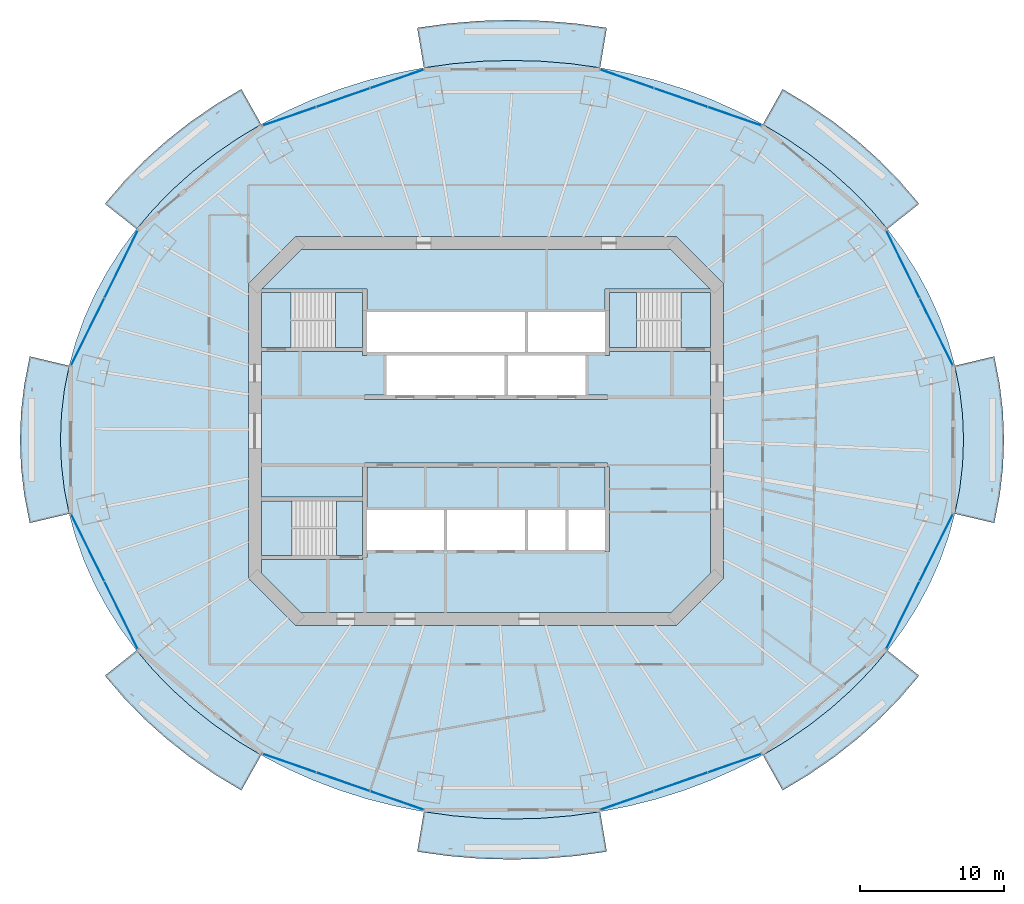
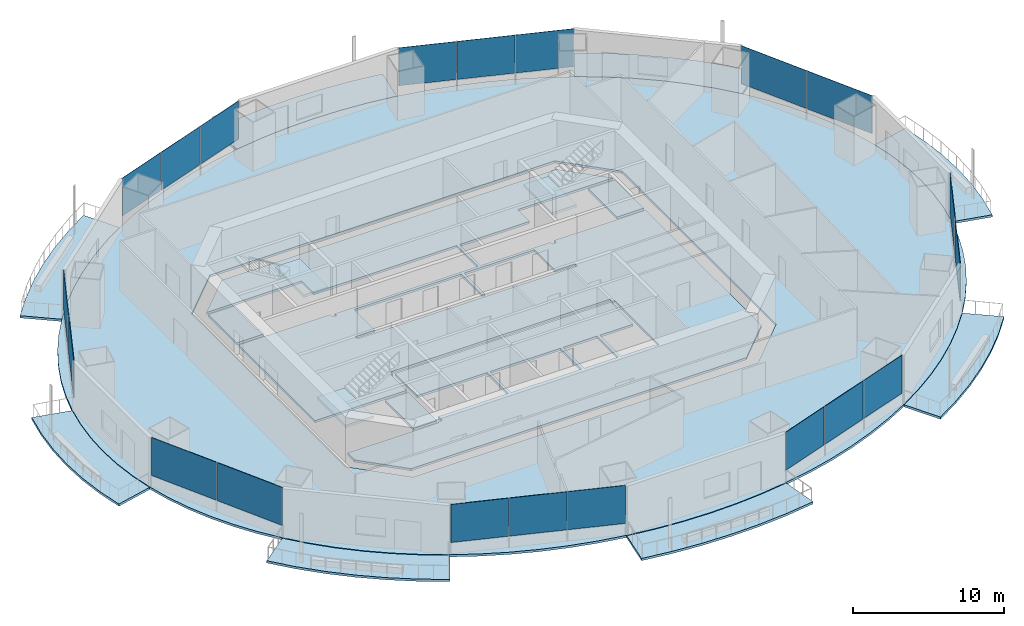
# One storey, part 10 of 20: 20 plates, 16 slabs, 11 elements without a shape of their own.
"""IFC4 building model written with IfcOpenShell, lengths in metres."""

from ifc_helpers import new_model, si_unit, direction, frame, origin, origin_2d, place, context, subcontext, project, spatial, polyline, rectangle, outline, extrude, material, layer, layer_set, type_object, element, aggregate, save


model = new_model("IFC4")

# Units and contexts
model_context = context("Model", 3, precision=1e-05, world=origin(), true_north=direction((0.0, 1.0)))
body_context = subcontext(model_context, "Body", "Model", "MODEL_VIEW")
ifc_project = project(units=[si_unit("LENGTHUNIT", "METRE"), si_unit("AREAUNIT", "SQUARE_METRE"), si_unit("VOLUMEUNIT", "CUBIC_METRE"), si_unit("PLANEANGLEUNIT", "RADIAN"), si_unit("MASSUNIT", "GRAM", prefix="KILO")], contexts=[model_context])

# Site, building, storey
site_placement = place(None, origin())
site = spatial("IfcSite", under=ifc_project, at=site_placement, CompositionType="ELEMENT")
building_placement = place(site_placement, origin())
building = spatial("IfcBuilding", under=site, at=building_placement, Name="Marenthal Gate Tower", CompositionType="ELEMENT")
storey_placement = place(building_placement, frame((0.0, 0.0, 219.14990234375)))
storey = spatial("IfcBuildingStorey", under=building, at=storey_placement, Name="L48", CompositionType="ELEMENT", Elevation=219.14990234375)

# Slabs
ifc_material_1 = material(Name="Concrete 40 MPa", Category="concrete")
ifc_layer_1 = layer(ifc_material_1, 0.179931640625)
ifc_layer_set_1 = layer_set([ifc_layer_1], Name="Balcony deck 180")
slab_type_1 = type_object("IfcSlabType", Name="Balcony deck 180", PredefinedType="USERDEFINED", material=ifc_layer_set_1)
slab_1_placement = place(storey_placement, frame((0.0, 0.0, -0.219970703125)))
element("IfcSlab", 1, at=slab_1_placement, inside=storey, type_object=slab_type_1, Name="Balcony deck L48 bay 2", ObjectType="BALCONY", PredefinedType="USERDEFINED", context=body_context, shape_type="SweptSolid", body=[
    extrude(outline(polyline([(27.783447265625, 13.983642578125), (26.59228515625, 15.3798828125), (25.294921875, 16.707763671875), (23.897216796875, 17.961669921875), (22.404541015625, 19.1357421875), (20.82373046875, 20.2255859375), (19.16162109375, 21.22607421875), (20.531982421875, 23.667724609375), (22.3408203125, 22.5791015625), (24.065185546875, 21.39013671875), (25.697998046875, 20.10546875), (27.23193359375, 18.72998046875), (28.65966796875, 17.2685546875), (29.974609375, 15.726806640625), (27.783447265625, 13.983642578125)])), origin(), (0.0, 0.0, 1.0), 0.18017578125),
])
slab_2_placement = place(storey_placement, frame((0.0, 0.0, -0.219970703125)))
element("IfcSlab", 2, at=slab_2_placement, inside=storey, type_object=slab_type_1, Name="Balcony deck L48 bay 4", ObjectType="BALCONY", PredefinedType="USERDEFINED", context=body_context, shape_type="SweptSolid", body=[
    extrude(outline(polyline([(7.896484375, 25.1455078125), (5.87890625, 25.42529296875), (3.84375, 25.59375), (1.800048828125, 25.64990234375), (-0.243896484375, 25.59375), (-2.27880859375, 25.42529296875), (-4.296630859375, 25.1455078125), (-4.758056640625, 27.9072265625), (-2.586669921875, 28.20849609375), (-0.397705078125, 28.3896484375), (1.800048828125, 28.449951171875), (3.997802734375, 28.3896484375), (6.186767578125, 28.20849609375), (8.358154296875, 27.9072265625), (7.896484375, 25.1455078125)])), origin(), (0.0, 0.0, 1.0), 0.18017578125),
])
slab_3_placement = place(storey_placement, frame((0.0, 0.0, -0.219970703125)))
element("IfcSlab", 3, at=slab_3_placement, inside=storey, type_object=slab_type_1, Name="Balcony deck L48 bay 6", ObjectType="BALCONY", PredefinedType="USERDEFINED", context=body_context, shape_type="SweptSolid", body=[
    extrude(outline(polyline([(-15.5615234375, 21.22607421875), (-17.223876953125, 20.2255859375), (-18.8046875, 19.1357421875), (-20.297119140625, 17.961669921875), (-21.695068359375, 16.707763671875), (-22.9921875, 15.3798828125), (-24.183349609375, 13.983642578125), (-26.374755859375, 15.726806640625), (-25.0595703125, 17.2685546875), (-23.6318359375, 18.72998046875), (-22.09814453125, 20.10546875), (-20.46533203125, 21.39013671875), (-18.74072265625, 22.5791015625), (-16.93212890625, 23.667724609375), (-15.5615234375, 21.22607421875)])), origin(), (0.0, 0.0, 1.0), 0.18017578125),
])
slab_4_placement = place(storey_placement, frame((0.0, 0.0, -0.219970703125)))
element("IfcSlab", 4, at=slab_4_placement, inside=storey, type_object=slab_type_1, Name="Balcony deck L48 bay 8", ObjectType="BALCONY", PredefinedType="USERDEFINED", context=body_context, shape_type="SweptSolid", body=[
    extrude(outline(polyline([(-28.849609375, 4.52099609375), (-29.1826171875, 2.826416015625), (-29.383056640625, 1.11669921875), (-29.449951171875, -0.60009765625), (-29.383056640625, -2.31689453125), (-29.1826171875, -4.0263671875), (-28.849609375, -5.72119140625), (-31.57421875, -6.3662109375), (-31.948974609375, -4.4599609375), (-32.174560546875, -2.53466796875), (-32.25, -0.60009765625), (-32.174560546875, 1.334716796875), (-31.948974609375, 3.259765625), (-31.57421875, 5.166259765625), (-28.849609375, 4.52099609375)])), origin(), (0.0, 0.0, 1.0), 0.18017578125),
])
slab_5_placement = place(storey_placement, frame((0.0, 0.0, -0.219970703125)))
element("IfcSlab", 5, at=slab_5_placement, inside=storey, type_object=slab_type_1, Name="Balcony deck L48 bay 10", ObjectType="BALCONY", PredefinedType="USERDEFINED", context=body_context, shape_type="SweptSolid", body=[
    extrude(outline(polyline([(-24.183349609375, -15.18359375), (-22.9921875, -16.580078125), (-21.695068359375, -17.90771484375), (-20.297119140625, -19.16162109375), (-18.8046875, -20.335693359375), (-17.223876953125, -21.425537109375), (-15.5615234375, -22.426025390625), (-16.93212890625, -24.86767578125), (-18.74072265625, -23.779052734375), (-20.46533203125, -22.590087890625), (-22.09814453125, -21.3056640625), (-23.6318359375, -19.929931640625), (-25.0595703125, -18.468505859375), (-26.374755859375, -16.9267578125), (-24.183349609375, -15.18359375)])), origin(), (0.0, 0.0, 1.0), 0.18017578125),
])
slab_6_placement = place(storey_placement, frame((0.0, 0.0, -0.219970703125)))
element("IfcSlab", 6, at=slab_6_placement, inside=storey, type_object=slab_type_1, Name="Balcony deck L48 bay 12", ObjectType="BALCONY", PredefinedType="USERDEFINED", context=body_context, shape_type="SweptSolid", body=[
    extrude(outline(polyline([(-4.296630859375, -26.345703125), (-2.27880859375, -26.62548828125), (-0.243896484375, -26.793701171875), (1.800048828125, -26.85009765625), (3.84375, -26.793701171875), (5.87890625, -26.62548828125), (7.896484375, -26.345703125), (8.358154296875, -29.107421875), (6.186767578125, -29.408447265625), (3.997802734375, -29.589599609375), (1.800048828125, -29.64990234375), (-0.397705078125, -29.589599609375), (-2.586669921875, -29.408447265625), (-4.758056640625, -29.107421875), (-4.296630859375, -26.345703125)])), origin(), (0.0, 0.0, 1.0), 0.18017578125),
])
slab_7_placement = place(storey_placement, frame((0.0, 0.0, -0.219970703125)))
element("IfcSlab", 7, at=slab_7_placement, inside=storey, type_object=slab_type_1, Name="Balcony deck L48 bay 14", ObjectType="BALCONY", PredefinedType="USERDEFINED", context=body_context, shape_type="SweptSolid", body=[
    extrude(outline(polyline([(19.16162109375, -22.426025390625), (20.82373046875, -21.425537109375), (22.404541015625, -20.335693359375), (23.897216796875, -19.16162109375), (25.294921875, -17.90771484375), (26.59228515625, -16.580078125), (27.783447265625, -15.18359375), (29.974609375, -16.9267578125), (28.65966796875, -18.468505859375), (27.23193359375, -19.929931640625), (25.697998046875, -21.3056640625), (24.065185546875, -22.590087890625), (22.3408203125, -23.779052734375), (20.531982421875, -24.86767578125), (19.16162109375, -22.426025390625)])), origin(), (0.0, 0.0, 1.0), 0.18017578125),
])
slab_8_placement = place(storey_placement, frame((0.0, 0.0, -0.219970703125)))
element("IfcSlab", 8, at=slab_8_placement, inside=storey, type_object=slab_type_1, Name="Balcony deck L48 bay 16", ObjectType="BALCONY", PredefinedType="USERDEFINED", context=body_context, shape_type="SweptSolid", body=[
    extrude(outline(polyline([(32.449462890625, -5.72119140625), (32.78271484375, -4.0263671875), (32.983154296875, -2.31689453125), (33.050048828125, -0.60009765625), (32.983154296875, 1.11669921875), (32.78271484375, 2.826416015625), (32.449462890625, 4.52099609375), (35.174072265625, 5.166259765625), (35.548828125, 3.259765625), (35.774658203125, 1.334716796875), (35.85009765625, -0.60009765625), (35.774658203125, -2.53466796875), (35.548828125, -4.4599609375), (35.174072265625, -6.3662109375), (32.449462890625, -5.72119140625)])), origin(), (0.0, 0.0, 1.0), 0.18017578125),
])
ifc_material_2 = material(Name="Concrete 50 MPa", Category="concrete")
ifc_layer_2 = layer(ifc_material_2, 0.179931640625)
ifc_layer_set_2 = layer_set([ifc_layer_2], Name="Core floor slab 180")
slab_type_2 = type_object("IfcSlabType", Name="Core floor slab 180", PredefinedType="FLOOR", material=ifc_layer_set_2)
slab_9_placement = place(storey_placement, frame((0.0, 0.0, -0.179931640625)))
element("IfcSlab", 9, at=slab_9_placement, inside=storey, type_object=slab_type_2, Name="Core floor L48", PredefinedType="FLOOR", context=body_context, shape_type="SweptSolid", body=[
    extrude(outline(polyline([(12.813720703125, -12.550048828125), (-12.813720703125, -12.550048828125), (-15.550048828125, -9.813720703125), (-15.550048828125, -8.875), (-8.550048828125, -8.875), (-8.550048828125, -8.75), (-8.25, -8.75), (-8.25, -8.239990234375), (-5.60009765625, -8.239990234375), (-2.909912109375, -8.239990234375), (-2.909912109375, -5.4599609375), (-5.60009765625, -5.4599609375), (-8.25, -5.4599609375), (-8.25, -2.5), (8.25, -2.5), (8.25, -5.4599609375), (5.7099609375, -5.4599609375), (5.7099609375, -8.239990234375), (8.25, -8.239990234375), (8.25, -8.35009765625), (8.550048828125, -8.35009765625), (8.550048828125, -2.5), (8.39990234375, -2.5), (8.39990234375, -2.199951171875), (-8.39990234375, -2.199951171875), (-8.39990234375, -2.5), (-8.550048828125, -2.5), (-8.550048828125, -4.574951171875), (-15.550048828125, -4.574951171875), (-15.550048828125, 5.52490234375), (-8.550048828125, 5.52490234375), (-8.550048828125, 5.239990234375), (-8.25, 5.239990234375), (-8.25, 5.4599609375), (-5.60009765625, 5.4599609375), (-2.800048828125, 5.4599609375), (0.0, 5.4599609375), (2.68994140625, 5.4599609375), (2.68994140625, 8.239990234375), (0.0, 8.239990234375), (-2.800048828125, 8.239990234375), (-5.60009765625, 8.239990234375), (-8.25, 8.239990234375), (-8.25, 8.35009765625), (-8.25, 9.824951171875), (-8.550048828125, 9.824951171875), (-15.53857421875, 9.824951171875), (-12.813720703125, 12.550048828125), (12.813720703125, 12.550048828125), (15.53857421875, 9.824951171875), (8.550048828125, 9.824951171875), (8.25, 9.824951171875), (8.25, 8.35009765625), (8.25, 8.239990234375), (5.60009765625, 8.239990234375), (2.909912109375, 8.239990234375), (2.909912109375, 5.4599609375), (5.60009765625, 5.4599609375), (8.25, 5.4599609375), (8.25, 5.239990234375), (8.550048828125, 5.239990234375), (8.550048828125, 5.52490234375), (15.550048828125, 5.52490234375), (15.550048828125, -9.813720703125), (12.813720703125, -12.550048828125)]), holes=[polyline([(2.68994140625, -8.239990234375), (2.68994140625, -5.4599609375), (0.0, -5.4599609375), (-2.68994140625, -5.4599609375), (-2.68994140625, -8.239990234375), (0.0, -8.239990234375), (2.68994140625, -8.239990234375)]), polyline([(-6.889892578125, 5.239990234375), (-6.889892578125, 2.5), (-8.39990234375, 2.5), (-8.39990234375, 2.199951171875), (8.39990234375, 2.199951171875), (8.39990234375, 2.5), (6.889892578125, 2.5), (6.889892578125, 5.239990234375), (4.199951171875, 5.239990234375), (1.510009765625, 5.239990234375), (1.510009765625, 2.5), (1.2900390625, 2.5), (1.2900390625, 5.239990234375), (-1.39990234375, 5.239990234375), (-4.199951171875, 5.239990234375), (-6.889892578125, 5.239990234375)]), polyline([(5.489990234375, -8.239990234375), (5.489990234375, -5.4599609375), (2.909912109375, -5.4599609375), (2.909912109375, -8.239990234375), (5.489990234375, -8.239990234375)])]), origin(), (0.0, 0.0, 1.0), 0.179931640625),
])
slab_10_placement = place(storey_placement, frame((0.0, 0.0, -0.179931640625)))
element("IfcSlab", 10, at=slab_10_placement, inside=storey, type_object=slab_type_2, Name="Core floor L48", PredefinedType="FLOOR", context=body_context, shape_type="SweptSolid", body=[
    extrude(outline(polyline([(15.550048828125, 5.77490234375), (13.5, 5.77490234375), (13.5, 9.574951171875), (15.550048828125, 9.574951171875), (15.550048828125, 5.77490234375)])), origin(), (0.0, 0.0, 1.0), 0.179931640625),
])
slab_11_placement = place(storey_placement, frame((0.0, 0.0, -0.179931640625)))
element("IfcSlab", 11, at=slab_11_placement, inside=storey, type_object=slab_type_2, Name="Core floor L48", PredefinedType="FLOOR", context=body_context, shape_type="SweptSolid", body=[
    extrude(outline(polyline([(-15.550048828125, 9.574951171875), (-13.5, 9.574951171875), (-13.5, 5.77490234375), (-15.550048828125, 5.77490234375), (-15.550048828125, 9.574951171875)])), origin(), (0.0, 0.0, 1.0), 0.179931640625),
])
slab_12_placement = place(storey_placement, frame((0.0, 0.0, -0.179931640625)))
element("IfcSlab", 12, at=slab_12_placement, inside=storey, type_object=slab_type_2, Name="Core floor L48", PredefinedType="FLOOR", context=body_context, shape_type="SweptSolid", body=[
    extrude(outline(polyline([(-8.550048828125, -8.625), (-10.35009765625, -8.625), (-10.35009765625, -4.824951171875), (-8.550048828125, -4.824951171875), (-8.550048828125, -8.625)])), origin(), (0.0, 0.0, 1.0), 0.179931640625),
])
ifc_material_3 = material(Name="Concrete 35 MPa", Category="concrete")
ifc_layer_3 = layer(ifc_material_3, 0.179931640625)
ifc_layer_set_3 = layer_set([ifc_layer_3], Name="Floor slab 180")
slab_type_3 = type_object("IfcSlabType", Name="Floor slab 180", PredefinedType="FLOOR", material=ifc_layer_set_3)
slab_13_placement = place(storey_placement, frame((0.0, 0.0, -0.179931640625)))
element("IfcSlab", 13, at=slab_13_placement, inside=storey, type_object=slab_type_3, Name="SL-L48-01", PredefinedType="FLOOR", context=body_context, shape_type="SweptSolid", body=[
    extrude(outline(polyline([(33.050048828125, -0.60009765625), (32.983154296875, 1.11669921875), (32.78271484375, 2.826416015625), (32.449462890625, 4.52099609375), (31.985107421875, 6.194091796875), (31.3916015625, 7.837890625), (30.671142578125, 9.4453125), (29.827392578125, 11.010009765625), (28.86328125, 12.52490234375), (27.783447265625, 13.983642578125), (26.59228515625, 15.3798828125), (25.294921875, 16.707763671875), (23.897216796875, 17.961669921875), (22.404541015625, 19.1357421875), (20.82373046875, 20.2255859375), (19.16162109375, 21.22607421875), (17.425048828125, 22.13330078125), (15.62158203125, 22.94287109375), (13.7587890625, 23.65185546875), (11.844970703125, 24.2568359375), (9.88818359375, 24.755615234375), (7.896484375, 25.1455078125), (5.87890625, 25.42529296875), (3.84375, 25.59375), (1.800048828125, 25.64990234375), (-0.243896484375, 25.59375), (-2.27880859375, 25.42529296875), (-4.296630859375, 25.1455078125), (-6.2880859375, 24.755615234375), (-8.2451171875, 24.2568359375), (-10.158935546875, 23.65185546875), (-12.021484375, 22.94287109375), (-13.824951171875, 22.13330078125), (-15.5615234375, 21.22607421875), (-17.223876953125, 20.2255859375), (-18.8046875, 19.1357421875), (-20.297119140625, 17.961669921875), (-21.695068359375, 16.707763671875), (-22.9921875, 15.3798828125), (-24.183349609375, 13.983642578125), (-25.26318359375, 12.52490234375), (-26.227294921875, 11.010009765625), (-27.0712890625, 9.4453125), (-27.79150390625, 7.837890625), (-28.38525390625, 6.194091796875), (-28.849609375, 4.52099609375), (-29.1826171875, 2.826416015625), (-29.383056640625, 1.11669921875), (-29.449951171875, -0.60009765625), (-29.383056640625, -2.31689453125), (-29.1826171875, -4.0263671875), (-28.849609375, -5.72119140625), (-28.38525390625, -7.39404296875), (-27.79150390625, -9.037841796875), (-27.0712890625, -10.6455078125), (-26.227294921875, -12.210205078125), (-25.26318359375, -13.72509765625), (-24.183349609375, -15.18359375), (-22.9921875, -16.580078125), (-21.695068359375, -17.90771484375), (-20.297119140625, -19.16162109375), (-18.8046875, -20.335693359375), (-17.223876953125, -21.425537109375), (-15.5615234375, -22.426025390625), (-13.824951171875, -23.333251953125), (-12.021484375, -24.142822265625), (-10.158935546875, -24.851806640625), (-8.2451171875, -25.456787109375), (-6.2880859375, -25.95556640625), (-4.296630859375, -26.345703125), (-2.27880859375, -26.62548828125), (-0.243896484375, -26.793701171875), (1.800048828125, -26.85009765625), (3.84375, -26.793701171875), (5.87890625, -26.62548828125), (7.896484375, -26.345703125), (9.88818359375, -25.95556640625), (11.844970703125, -25.456787109375), (13.7587890625, -24.851806640625), (15.62158203125, -24.142822265625), (17.425048828125, -23.333251953125), (19.16162109375, -22.426025390625), (20.82373046875, -21.425537109375), (22.404541015625, -20.335693359375), (23.897216796875, -19.16162109375), (25.294921875, -17.90771484375), (26.59228515625, -16.580078125), (27.783447265625, -15.18359375), (28.86328125, -13.72509765625), (29.827392578125, -12.210205078125), (30.671142578125, -10.6455078125), (31.3916015625, -9.037841796875), (31.985107421875, -7.39404296875), (32.449462890625, -5.72119140625), (32.78271484375, -4.0263671875), (32.983154296875, -2.31689453125), (33.050048828125, -0.60009765625)]), holes=[polyline([(13.186279296875, -13.449951171875), (16.449951171875, -10.186279296875), (16.449951171875, 10.186279296875), (13.186279296875, 13.449951171875), (-13.186279296875, 13.449951171875), (-16.449951171875, 10.186279296875), (-16.449951171875, -10.186279296875), (-13.186279296875, -13.449951171875), (13.186279296875, -13.449951171875)])]), origin(), (0.0, 0.0, 1.0), 0.179931640625),
])

# Curtain wall, plates
ifc_material_4 = material(Name="Aluminium and glass", Category="aluminium")
curtain_wall_type = type_object("IfcCurtainWallType", Name="Curtain wall typical mid", PredefinedType="NOTDEFINED", material=ifc_material_4)
curtain_wall_1_placement = place(storey_placement, origin())
curtain_wall_1 = element("IfcCurtainWall", 14, at=curtain_wall_1_placement, inside=storey, type_object=curtain_wall_type, Name="Curtain wall L48 bay 1", PredefinedType="NOTDEFINED")
ifc_material_5 = material(Name="Glass, laminated insulating unit", Category="glass")
ifc_layer_4 = layer(ifc_material_5, 0.030029296875)
ifc_layer_set_4 = layer_set([ifc_layer_4], Name="Glass panel 30 typical mid")
plate_type = type_object("IfcPlateType", Name="Glass panel 30 typical mid", PredefinedType="CURTAIN_PANEL", material=ifc_layer_set_4)
plate_1_placement = place(storey_placement, frame((31.1630859375, 6.865966796875, 0.89990234375), z_axis=(0.0, 0.0, 1.0), x_axis=(-0.442523466153, 0.896756924648, 0.0)))
plate_1 = element("IfcPlate", 15, at=plate_1_placement, type_object=plate_type, Name="Glass panel L48 bay 1.1", PredefinedType="CURTAIN_PANEL", context=body_context, shape_type="SweptSolid", body=[
    extrude(rectangle(XDim=5.161865234375, YDim=0.030029296875, at=origin_2d()), origin(), (0.0, 0.0, 1.0), 3.070068359375),
])
plate_2_placement = place(storey_placement, frame((28.852294921875, 11.548828125, 0.89990234375), z_axis=(0.0, 0.0, 1.0), x_axis=(-0.442523466153, 0.896756924648, 0.0)))
plate_2 = element("IfcPlate", 16, at=plate_2_placement, type_object=plate_type, Name="Glass panel L48 bay 1.2", PredefinedType="CURTAIN_PANEL", context=body_context, shape_type="SweptSolid", body=[
    extrude(rectangle(XDim=5.161865234375, YDim=0.030029296875, at=origin_2d()), origin(), (0.0, 0.0, 1.0), 3.070068359375),
])
aggregate(curtain_wall_1, [plate_1, plate_2])

curtain_wall_2_placement = place(storey_placement, origin())
curtain_wall_2 = element("IfcCurtainWall", 17, at=curtain_wall_2_placement, inside=storey, type_object=curtain_wall_type, Name="Curtain wall L48 bay 3", PredefinedType="NOTDEFINED")
plate_3_placement = place(storey_placement, frame((17.205810546875, 21.783203125, 0.89990234375), z_axis=(0.0, 0.0, 1.0), x_axis=(-0.944538576348, 0.328400483847, 0.0)))
plate_3 = element("IfcPlate", 18, at=plate_3_placement, type_object=plate_type, Name="Glass panel L48 bay 3.1", PredefinedType="CURTAIN_PANEL", context=body_context, shape_type="SweptSolid", body=[
    extrude(rectangle(XDim=3.880126953125, YDim=0.030029296875, at=origin_2d()), origin(), (0.0, 0.0, 1.0), 3.070068359375),
])
plate_4_placement = place(storey_placement, frame((13.484130859375, 23.0771484375, 0.89990234375), z_axis=(0.0, 0.0, 1.0), x_axis=(-0.944538576348, 0.328400483847, 0.0)))
plate_4 = element("IfcPlate", 19, at=plate_4_placement, type_object=plate_type, Name="Glass panel L48 bay 3.2", PredefinedType="CURTAIN_PANEL", context=body_context, shape_type="SweptSolid", body=[
    extrude(rectangle(XDim=3.880126953125, YDim=0.030029296875, at=origin_2d()), origin(), (0.0, 0.0, 1.0), 3.070068359375),
])
plate_5_placement = place(storey_placement, frame((9.762451171875, 24.37109375, 0.89990234375), z_axis=(0.0, 0.0, 1.0), x_axis=(-0.944538576348, 0.328400483847, 0.0)))
plate_5 = element("IfcPlate", 20, at=plate_5_placement, type_object=plate_type, Name="Glass panel L48 bay 3.3", PredefinedType="CURTAIN_PANEL", context=body_context, shape_type="SweptSolid", body=[
    extrude(rectangle(XDim=3.880126953125, YDim=0.030029296875, at=origin_2d()), origin(), (0.0, 0.0, 1.0), 3.070068359375),
])
aggregate(curtain_wall_2, [plate_3, plate_4, plate_5])

curtain_wall_3_placement = place(storey_placement, origin())
curtain_wall_3 = element("IfcCurtainWall", 21, at=curtain_wall_3_placement, inside=storey, type_object=curtain_wall_type, Name="Curtain wall L48 bay 5", PredefinedType="NOTDEFINED")
plate_6_placement = place(storey_placement, frame((-6.162353515625, 24.37109375, 0.89990234375), z_axis=(0.0, 0.0, 1.0), x_axis=(-0.944538576348, -0.328400483847, 0.0)))
plate_6 = element("IfcPlate", 22, at=plate_6_placement, type_object=plate_type, Name="Glass panel L48 bay 5.1", PredefinedType="CURTAIN_PANEL", context=body_context, shape_type="SweptSolid", body=[
    extrude(rectangle(XDim=3.880126953125, YDim=0.030029296875, at=origin_2d()), origin(), (0.0, 0.0, 1.0), 3.070068359375),
])
plate_7_placement = place(storey_placement, frame((-9.884033203125, 23.0771484375, 0.89990234375), z_axis=(0.0, 0.0, 1.0), x_axis=(-0.944538576348, -0.328400483847, 0.0)))
plate_7 = element("IfcPlate", 23, at=plate_7_placement, type_object=plate_type, Name="Glass panel L48 bay 5.2", PredefinedType="CURTAIN_PANEL", context=body_context, shape_type="SweptSolid", body=[
    extrude(rectangle(XDim=3.880126953125, YDim=0.030029296875, at=origin_2d()), origin(), (0.0, 0.0, 1.0), 3.070068359375),
])
plate_8_placement = place(storey_placement, frame((-13.605712890625, 21.783203125, 0.89990234375), z_axis=(0.0, 0.0, 1.0), x_axis=(-0.944538576348, -0.328400483847, 0.0)))
plate_8 = element("IfcPlate", 24, at=plate_8_placement, type_object=plate_type, Name="Glass panel L48 bay 5.3", PredefinedType="CURTAIN_PANEL", context=body_context, shape_type="SweptSolid", body=[
    extrude(rectangle(XDim=3.880126953125, YDim=0.030029296875, at=origin_2d()), origin(), (0.0, 0.0, 1.0), 3.070068359375),
])
aggregate(curtain_wall_3, [plate_6, plate_7, plate_8])

curtain_wall_4_placement = place(storey_placement, origin())
curtain_wall_4 = element("IfcCurtainWall", 25, at=curtain_wall_4_placement, inside=storey, type_object=curtain_wall_type, Name="Curtain wall L48 bay 7", PredefinedType="NOTDEFINED")
plate_9_placement = place(storey_placement, frame((-25.252197265625, 11.548828125, 0.89990234375), z_axis=(0.0, 0.0, 1.0), x_axis=(-0.442523466153, -0.896756924648, 0.0)))
plate_9 = element("IfcPlate", 26, at=plate_9_placement, type_object=plate_type, Name="Glass panel L48 bay 7.1", PredefinedType="CURTAIN_PANEL", context=body_context, shape_type="SweptSolid", body=[
    extrude(rectangle(XDim=5.161865234375, YDim=0.030029296875, at=origin_2d()), origin(), (0.0, 0.0, 1.0), 3.070068359375),
])
plate_10_placement = place(storey_placement, frame((-27.56298828125, 6.865966796875, 0.89990234375), z_axis=(0.0, 0.0, 1.0), x_axis=(-0.442523466153, -0.896756924648, 0.0)))
plate_10 = element("IfcPlate", 27, at=plate_10_placement, type_object=plate_type, Name="Glass panel L48 bay 7.2", PredefinedType="CURTAIN_PANEL", context=body_context, shape_type="SweptSolid", body=[
    extrude(rectangle(XDim=5.161865234375, YDim=0.030029296875, at=origin_2d()), origin(), (0.0, 0.0, 1.0), 3.070068359375),
])
aggregate(curtain_wall_4, [plate_9, plate_10])

curtain_wall_5_placement = place(storey_placement, origin())
curtain_wall_5 = element("IfcCurtainWall", 28, at=curtain_wall_5_placement, inside=storey, type_object=curtain_wall_type, Name="Curtain wall L48 bay 9", PredefinedType="NOTDEFINED")
plate_11_placement = place(storey_placement, frame((-27.563232421875, -8.06591796875, 0.89990234375), z_axis=(0.0, 0.0, 1.0), x_axis=(0.442523466153, -0.896756924648, 0.0)))
plate_11 = element("IfcPlate", 29, at=plate_11_placement, type_object=plate_type, Name="Glass panel L48 bay 9.1", PredefinedType="CURTAIN_PANEL", context=body_context, shape_type="SweptSolid", body=[
    extrude(rectangle(XDim=5.161865234375, YDim=0.030029296875, at=origin_2d()), origin(), (0.0, 0.0, 1.0), 3.070068359375),
])
plate_12_placement = place(storey_placement, frame((-25.252197265625, -12.748779296875, 0.89990234375), z_axis=(0.0, 0.0, 1.0), x_axis=(0.442523466153, -0.896756924648, 0.0)))
plate_12 = element("IfcPlate", 30, at=plate_12_placement, type_object=plate_type, Name="Glass panel L48 bay 9.2", PredefinedType="CURTAIN_PANEL", context=body_context, shape_type="SweptSolid", body=[
    extrude(rectangle(XDim=5.161865234375, YDim=0.030029296875, at=origin_2d()), origin(), (0.0, 0.0, 1.0), 3.070068359375),
])
aggregate(curtain_wall_5, [plate_11, plate_12])

curtain_wall_6_placement = place(storey_placement, origin())
curtain_wall_6 = element("IfcCurtainWall", 31, at=curtain_wall_6_placement, inside=storey, type_object=curtain_wall_type, Name="Curtain wall L48 bay 11", PredefinedType="NOTDEFINED")
plate_13_placement = place(storey_placement, frame((-13.605712890625, -22.983154296875, 0.89990234375), z_axis=(0.0, 0.0, 1.0), x_axis=(0.944538576348, -0.328400483847, 0.0)))
plate_13 = element("IfcPlate", 32, at=plate_13_placement, type_object=plate_type, Name="Glass panel L48 bay 11.1", PredefinedType="CURTAIN_PANEL", context=body_context, shape_type="SweptSolid", body=[
    extrude(rectangle(XDim=3.880126953125, YDim=0.030029296875, at=origin_2d()), origin(), (0.0, 0.0, 1.0), 3.070068359375),
])
plate_14_placement = place(storey_placement, frame((-9.884033203125, -24.277099609375, 0.89990234375), z_axis=(0.0, 0.0, 1.0), x_axis=(0.944538576348, -0.328400483847, 0.0)))
plate_14 = element("IfcPlate", 33, at=plate_14_placement, type_object=plate_type, Name="Glass panel L48 bay 11.2", PredefinedType="CURTAIN_PANEL", context=body_context, shape_type="SweptSolid", body=[
    extrude(rectangle(XDim=3.880126953125, YDim=0.030029296875, at=origin_2d()), origin(), (0.0, 0.0, 1.0), 3.070068359375),
])
plate_15_placement = place(storey_placement, frame((-6.162353515625, -25.571044921875, 0.89990234375), z_axis=(0.0, 0.0, 1.0), x_axis=(0.944538576348, -0.328400483847, 0.0)))
plate_15 = element("IfcPlate", 34, at=plate_15_placement, type_object=plate_type, Name="Glass panel L48 bay 11.3", PredefinedType="CURTAIN_PANEL", context=body_context, shape_type="SweptSolid", body=[
    extrude(rectangle(XDim=3.880126953125, YDim=0.030029296875, at=origin_2d()), origin(), (0.0, 0.0, 1.0), 3.070068359375),
])
aggregate(curtain_wall_6, [plate_13, plate_14, plate_15])

curtain_wall_7_placement = place(storey_placement, origin())
curtain_wall_7 = element("IfcCurtainWall", 35, at=curtain_wall_7_placement, inside=storey, type_object=curtain_wall_type, Name="Curtain wall L48 bay 13", PredefinedType="NOTDEFINED")
plate_16_placement = place(storey_placement, frame((9.762451171875, -25.571044921875, 0.89990234375), z_axis=(0.0, 0.0, 1.0), x_axis=(0.944538576348, 0.328400483847, 0.0)))
plate_16 = element("IfcPlate", 36, at=plate_16_placement, type_object=plate_type, Name="Glass panel L48 bay 13.1", PredefinedType="CURTAIN_PANEL", context=body_context, shape_type="SweptSolid", body=[
    extrude(rectangle(XDim=3.880126953125, YDim=0.030029296875, at=origin_2d()), origin(), (0.0, 0.0, 1.0), 3.070068359375),
])
plate_17_placement = place(storey_placement, frame((13.484130859375, -24.277099609375, 0.89990234375), z_axis=(0.0, 0.0, 1.0), x_axis=(0.944538576348, 0.328400483847, 0.0)))
plate_17 = element("IfcPlate", 37, at=plate_17_placement, type_object=plate_type, Name="Glass panel L48 bay 13.2", PredefinedType="CURTAIN_PANEL", context=body_context, shape_type="SweptSolid", body=[
    extrude(rectangle(XDim=3.880126953125, YDim=0.030029296875, at=origin_2d()), origin(), (0.0, 0.0, 1.0), 3.070068359375),
])
plate_18_placement = place(storey_placement, frame((17.205810546875, -22.983154296875, 0.89990234375), z_axis=(0.0, 0.0, 1.0), x_axis=(0.944538576348, 0.328400483847, 0.0)))
plate_18 = element("IfcPlate", 38, at=plate_18_placement, type_object=plate_type, Name="Glass panel L48 bay 13.3", PredefinedType="CURTAIN_PANEL", context=body_context, shape_type="SweptSolid", body=[
    extrude(rectangle(XDim=3.880126953125, YDim=0.030029296875, at=origin_2d()), origin(), (0.0, 0.0, 1.0), 3.070068359375),
])
aggregate(curtain_wall_7, [plate_16, plate_17, plate_18])

curtain_wall_8_placement = place(storey_placement, origin())
curtain_wall_8 = element("IfcCurtainWall", 39, at=curtain_wall_8_placement, inside=storey, type_object=curtain_wall_type, Name="Curtain wall L48 bay 15", PredefinedType="NOTDEFINED")
plate_19_placement = place(storey_placement, frame((28.852294921875, -12.748779296875, 0.89990234375), z_axis=(0.0, 0.0, 1.0), x_axis=(0.442523466153, 0.896756924648, 0.0)))
plate_19 = element("IfcPlate", 40, at=plate_19_placement, type_object=plate_type, Name="Glass panel L48 bay 15.1", PredefinedType="CURTAIN_PANEL", context=body_context, shape_type="SweptSolid", body=[
    extrude(rectangle(XDim=5.161865234375, YDim=0.030029296875, at=origin_2d()), origin(), (0.0, 0.0, 1.0), 3.070068359375),
])
plate_20_placement = place(storey_placement, frame((31.1630859375, -8.06591796875, 0.89990234375), z_axis=(0.0, 0.0, 1.0), x_axis=(0.442523466153, 0.896756924648, 0.0)))
plate_20 = element("IfcPlate", 41, at=plate_20_placement, type_object=plate_type, Name="Glass panel L48 bay 15.2", PredefinedType="CURTAIN_PANEL", context=body_context, shape_type="SweptSolid", body=[
    extrude(rectangle(XDim=5.161865234375, YDim=0.030029296875, at=origin_2d()), origin(), (0.0, 0.0, 1.0), 3.070068359375),
])
aggregate(curtain_wall_8, [plate_19, plate_20])

# Stair, slab
ifc_material_6 = material(Name="Concrete 40 MPa", Category="concrete")
stair_type = type_object("IfcStairType", Name="Exit stair 1800", PredefinedType="HALF_TURN_STAIR", material=ifc_material_6)
stair_1_placement = place(storey_placement, origin())
stair_1 = element("IfcStair", 42, at=stair_1_placement, inside=storey, type_object=stair_type, Name="Stair ST1", PredefinedType="HALF_TURN_STAIR")
ifc_material_7 = material(Name="Concrete 40 MPa", Category="concrete")
ifc_layer_5 = layer(ifc_material_7, 0.199951171875)
ifc_layer_set_5 = layer_set([ifc_layer_5], Name="Stair landing 200")
slab_type_4 = type_object("IfcSlabType", Name="Stair landing 200", PredefinedType="LANDING", material=ifc_layer_set_5)
slab_14_placement = place(storey_placement, frame((0.0, 0.0, 1.875)))
slab_14 = element("IfcSlab", 43, at=slab_14_placement, type_object=slab_type_4, Name="ST1 landing 1", PredefinedType="LANDING", context=body_context, shape_type="SweptSolid", body=[
    extrude(outline(polyline([(-10.419921875, 5.77490234375), (-8.550048828125, 5.77490234375), (-8.550048828125, 9.574951171875), (-10.419921875, 9.574951171875), (-10.419921875, 5.77490234375)])), origin(), (0.0, 0.0, 1.0), 0.2001953125),
])
aggregate(stair_1, [slab_14])

stair_2_placement = place(storey_placement, origin())
stair_2 = element("IfcStair", 44, at=stair_2_placement, inside=storey, type_object=stair_type, Name="Stair ST2", PredefinedType="HALF_TURN_STAIR")
slab_15_placement = place(storey_placement, frame((0.0, 0.0, 1.875)))
slab_15 = element("IfcSlab", 45, at=slab_15_placement, type_object=slab_type_4, Name="ST2 landing 1", PredefinedType="LANDING", context=body_context, shape_type="SweptSolid", body=[
    extrude(outline(polyline([(-15.550048828125, -8.625), (-13.429931640625, -8.625), (-13.429931640625, -4.824951171875), (-15.550048828125, -4.824951171875), (-15.550048828125, -8.625)])), origin(), (0.0, 0.0, 1.0), 0.2001953125),
])
aggregate(stair_2, [slab_15])

stair_3_placement = place(storey_placement, origin())
stair_3 = element("IfcStair", 46, at=stair_3_placement, inside=storey, type_object=stair_type, Name="Stair ST3", PredefinedType="HALF_TURN_STAIR")
slab_16_placement = place(storey_placement, frame((0.0, 0.0, 1.875)))
slab_16 = element("IfcSlab", 47, at=slab_16_placement, type_object=slab_type_4, Name="ST3 landing 1", PredefinedType="LANDING", context=body_context, shape_type="SweptSolid", body=[
    extrude(outline(polyline([(8.550048828125, 5.77490234375), (10.419921875, 5.77490234375), (10.419921875, 9.574951171875), (8.550048828125, 9.574951171875), (8.550048828125, 5.77490234375)])), origin(), (0.0, 0.0, 1.0), 0.2001953125),
])
aggregate(stair_3, [slab_16])

save(model, "model.ifc")
